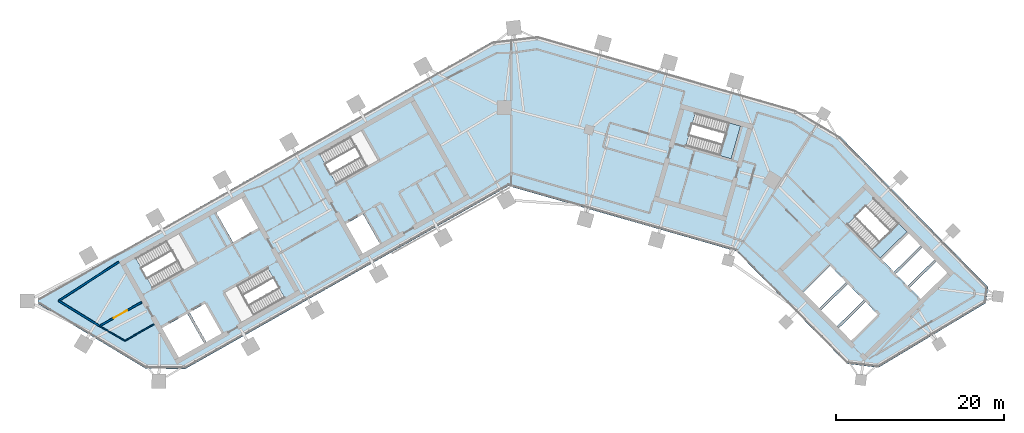
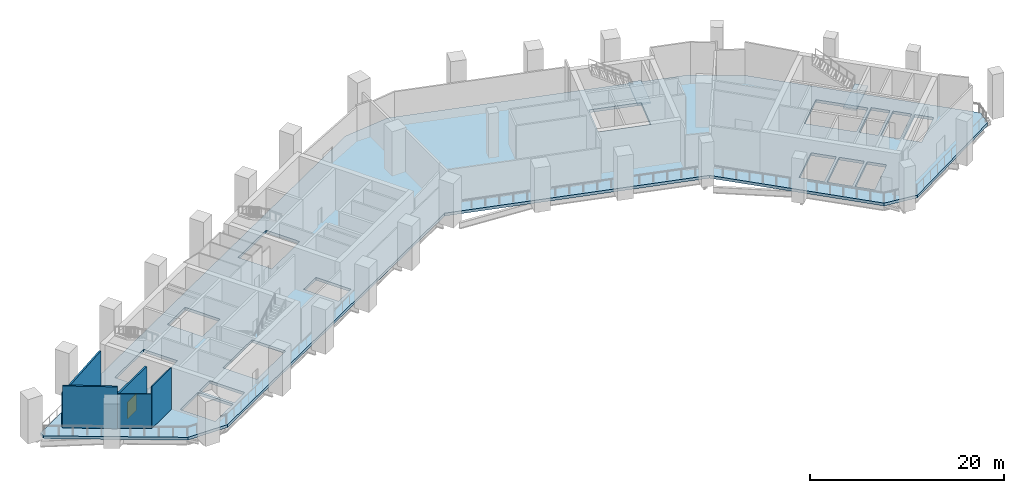
# One storey, part 3 of 11: 5 walls, 3 slabs, 1 door, 1 opening, 2 elements without a shape of their own.
"""IFC4 building model written with IfcOpenShell, lengths in metres."""

from ifc_helpers import new_model, si_unit, direction, frame, frame_2d, origin, place, context, subcontext, project, spatial, polyline, rectangle, outline, extrude, material, layer, layer_set, type_object, element, fill, aggregate, save


model = new_model("IFC4")

# Units and contexts
model_context = context("Model", 3, precision=1e-05, world=origin(), true_north=direction((0.0, 1.0)))
body_context = subcontext(model_context, "Body", "Model", "MODEL_VIEW")
ifc_project = project(units=[si_unit("LENGTHUNIT", "METRE"), si_unit("AREAUNIT", "SQUARE_METRE"), si_unit("VOLUMEUNIT", "CUBIC_METRE"), si_unit("PLANEANGLEUNIT", "RADIAN"), si_unit("MASSUNIT", "GRAM", prefix="KILO")], contexts=[model_context])

# Site, building, storey
site_placement = place(None, origin())
site = spatial("IfcSite", under=ifc_project, at=site_placement, CompositionType="ELEMENT")
building_placement = place(site_placement, origin())
building = spatial("IfcBuilding", under=site, at=building_placement, Name="Binnacle Exchange Tower", CompositionType="ELEMENT")
storey_placement = place(building_placement, frame((0.0, 0.0, 91.5)))
storey = spatial("IfcBuildingStorey", under=building, at=storey_placement, Name="L18", CompositionType="ELEMENT", Elevation=91.5)

# Slab
ifc_material_1 = material(Name="Concrete C35/45", Category="concrete")
ifc_layer_1 = layer(ifc_material_1, 0.35009765625)
ifc_layer_set_1 = layer_set([ifc_layer_1], Name="Floor slab 350 Concrete C35/45")
slab_type_1 = type_object("IfcSlabType", Name="Floor slab 350 Concrete C35/45", PredefinedType="FLOOR", material=ifc_layer_set_1)
slab_1_placement = place(storey_placement, frame((0.0, 0.0, -0.35009765625)))
element("IfcSlab", 1, at=slab_1_placement, inside=storey, type_object=slab_type_1, Name="S:SL:L18:01", PredefinedType="FLOOR", context=body_context, shape_type="SweptSolid", body=[
    extrude(outline(polyline([(56.6298828125, 38.691650390625), (56.388916015625, 36.798583984375), (43.599609375, 29.114013671875), (39.8662109375, 29.5888671875), (26.7578125, 42.927978515625), (-0.318603515625, 50.692138671875), (-38.74072265625, 28.953857421875), (-43.435791015625, 29.015380859375), (-56.197509765625, 36.683349609375), (-56.188720703125, 37.33740234375), (-2.2529296875, 67.85302734375), (3.15869140625, 68.493408203125), (33.78955078125, 59.710205078125), (39.051025390625, 56.580078125), (56.6298828125, 38.691650390625)]), holes=[polyline([(-38.4794921875, 35.529296875), (-41.61279296875, 33.756591796875), (-39.544677734375, 30.10107421875), (-36.411376953125, 31.873779296875), (-38.4794921875, 35.529296875)]), polyline([(-34.322509765625, 33.0556640625), (-36.390625, 36.711181640625), (-38.21826171875, 35.677001953125), (-36.150146484375, 32.021484375), (-34.322509765625, 33.0556640625)]), polyline([(-34.040771484375, 38.04052734375), (-32.04638671875, 34.515625), (-26.9287109375, 37.4111328125), (-28.923095703125, 40.93603515625), (-34.040771484375, 38.04052734375)]), polyline([(-37.486572265625, 41.4912109375), (-39.480712890625, 45.01611328125), (-44.598388671875, 42.12060546875), (-42.604248046875, 38.595703125), (-37.486572265625, 41.4912109375)]), polyline([(-15.53076171875, 43.6875), (-17.598876953125, 47.343017578125), (-19.77490234375, 46.11181640625), (-17.70654296875, 42.456298828125), (-15.53076171875, 43.6875)]), polyline([(-29.914306640625, 45.775390625), (-31.982666015625, 49.430908203125), (-35.115966796875, 47.657958984375), (-33.047607421875, 44.00244140625), (-29.914306640625, 45.775390625)]), polyline([(-15.822509765625, 53.748046875), (-17.81689453125, 57.27294921875), (-22.760498046875, 54.47607421875), (-20.76611328125, 50.950927734375), (-15.822509765625, 53.748046875)]), polyline([(26.111328125, 53.9169921875), (27.227783203125, 57.810302734375), (21.864013671875, 59.348388671875), (20.74755859375, 55.455078125), (26.111328125, 53.9169921875)]), polyline([(40.268798828125, 32.201904296875), (43.549560546875, 35.426025390625), (42.07763671875, 36.923828125), (38.796875, 33.69970703125), (40.268798828125, 32.201904296875)]), polyline([(38.58642578125, 33.913818359375), (41.867431640625, 37.137939453125), (39.97509765625, 39.063720703125), (36.694091796875, 35.83935546875), (38.58642578125, 33.913818359375)]), polyline([(36.48388671875, 36.053466796875), (39.7646484375, 39.277587890625), (37.872314453125, 41.203369140625), (34.59130859375, 37.979248046875), (36.48388671875, 36.053466796875)]), polyline([(48.726806640625, 37.148681640625), (52.0078125, 40.372802734375), (50.577880859375, 41.827880859375), (47.296875, 38.603759765625), (48.726806640625, 37.148681640625)]), polyline([(47.086669921875, 38.817626953125), (50.36767578125, 42.0419921875), (48.944580078125, 43.48974609375), (45.663818359375, 40.265625), (47.086669921875, 38.817626953125)]), polyline([(45.45361328125, 40.4794921875), (48.734375, 43.703857421875), (47.3115234375, 45.151611328125), (44.030517578125, 41.927490234375), (45.45361328125, 40.4794921875)]), polyline([(43.8203125, 42.141357421875), (46.994384765625, 45.260498046875), (43.083251953125, 49.240478515625), (39.9091796875, 46.121337890625), (43.8203125, 42.141357421875)])]), origin(), (0.0, 0.0, 1.0), 0.35009765625),
])

# Stair, slab
stair_type = type_object("IfcStairType", Name="STAIR 32 RISERS 175", PredefinedType="HALF_TURN_STAIR", material=ifc_material_1)
stair_1_placement = place(storey_placement, origin())
stair_1 = element("IfcStair", 2, at=stair_1_placement, inside=storey, type_object=stair_type, Name="L18 Escape stair B1", PredefinedType="HALF_TURN_STAIR")
ifc_layer_2 = layer(ifc_material_1, 0.199951171875)
ifc_layer_set_2 = layer_set([ifc_layer_2], Name="STAIR LANDING 200")
slab_type_2 = type_object("IfcSlabType", Name="STAIR LANDING 200", PredefinedType="LANDING", material=ifc_layer_set_2)
slab_2_placement = place(storey_placement, frame((0.0, 0.0, 2.60009765625)))
slab_2 = element("IfcSlab", 3, at=slab_2_placement, type_object=slab_type_2, Name="STB1 landing 1", PredefinedType="LANDING", context=body_context, shape_type="SweptSolid", body=[
    extrude(outline(polyline([(42.8251953125, 43.154296875), (43.8203125, 42.141357421875), (46.994384765625, 45.260498046875), (45.9990234375, 46.273193359375), (42.8251953125, 43.154296875)])), origin(), (0.0, 0.0, 1.0), 0.199951171875),
])
aggregate(stair_1, [slab_2])

stair_2_placement = place(storey_placement, origin())
stair_2 = element("IfcStair", 4, at=stair_2_placement, inside=storey, type_object=stair_type, Name="L18 Escape stair D1", PredefinedType="HALF_TURN_STAIR")
slab_3_placement = place(storey_placement, frame((0.0, 0.0, 2.60009765625)))
slab_3 = element("IfcSlab", 5, at=slab_3_placement, type_object=slab_type_2, Name="STD1 landing 1", PredefinedType="LANDING", context=body_context, shape_type="SweptSolid", body=[
    extrude(outline(polyline([(24.746337890625, 54.30859375), (26.111328125, 53.917236328125), (27.227783203125, 57.810302734375), (25.86279296875, 58.20166015625), (24.746337890625, 54.30859375)])), origin(), (0.0, 0.0, 1.0), 0.199951171875),
])
aggregate(stair_2, [slab_3])

# Walls
ifc_material_2 = material(Name="Masonry block wall", Category="masonry")
ifc_layer_3 = layer(ifc_material_2, 0.199951171875)
ifc_layer_set_3 = layer_set([ifc_layer_3], Name="Fire wall - block 200")
wall_type_1 = type_object("IfcWallType", Name="Fire wall - block 200", PredefinedType="PARTITIONING", material=ifc_layer_set_3)
wall_1_placement = place(storey_placement, frame((-53.760009765625, 37.052001953125, 0.0), z_axis=(0.0, 0.0, 1.0), x_axis=(0.850846379399, -0.525414539828, 0.0)))
element("IfcWall", 6, at=wall_1_placement, inside=storey, type_object=wall_type_1, Name="Partition W01", PredefinedType="PARTITIONING", context=body_context, shape_type="SweptSolid", body=[
    extrude(rectangle(XDim=5.7060546875, YDim=0.199951171875, at=frame_2d((2.85302734375, 0.0))), origin(), (0.0, 0.0, 1.0), 5.280029296875),
])
wall_2_placement = place(storey_placement, frame((-53.760009765625, 37.052001953125, 0.0), z_axis=(0.0, 0.0, 1.0), x_axis=(0.83989696129, 0.542745883831, 0.0)))
element("IfcWall", 7, at=wall_2_placement, inside=storey, type_object=wall_type_1, Name="Partition W02", PredefinedType="PARTITIONING", context=body_context, shape_type="SweptSolid", body=[
    extrude(rectangle(XDim=8.514404296875, YDim=0.199951171875, at=frame_2d((4.25732421875, 0.0))), origin(), (0.0, 0.0, 1.0), 4.360107421875),
])

# Wall, opening, door
wall_3_placement = place(storey_placement, frame((-48.905029296875, 34.053955078125, 0.0), z_axis=(0.0, 0.0, 1.0), x_axis=(0.870335821512, 0.492458686383, 0.0)))
wall_3 = element("IfcWall", 8, at=wall_3_placement, inside=storey, type_object=wall_type_1, Name="Partition W04", PredefinedType="PARTITIONING", context=body_context, shape_type="SweptSolid", body=[
    extrude(rectangle(XDim=5.750732421875, YDim=0.199951171875, at=frame_2d((2.87548828125, 0.0))), origin(), (0.0, 0.0, 1.0), 4.360107421875),
])
opening_placement = place(wall_3_placement, frame((1.949951171875, 0.0, 0.0)))
opening = element("IfcOpeningElement", 9, at=opening_placement, cuts=wall_3, Name="Opening DL18-01", PredefinedType="OPENING", context=body_context, shape_type="SweptSolid", body=[
    extrude(rectangle(XDim=1.800048828125, YDim=2.10009765625, at=frame_2d((0.89990234375, 1.050048828125))), frame((0.0, 0.10986328125, 0.0), z_axis=(0.0, -1.0, 0.0), x_axis=(1.0, 0.0, 0.0)), (0.0, 0.0, 1.0), 0.219970703125),
])
ifc_material_3 = material(Name="Steel door leaf", Category="steel")
door_type = type_object("IfcDoorType", Name="Fire door 1800", OperationType="NOTDEFINED", PredefinedType="DOOR", material=ifc_material_3)
door_placement = place(opening_placement, origin())
door = element("IfcDoor", 10, at=door_placement, inside=storey, type_object=door_type, Name="Door DL18-01", OperationType="DOUBLE_DOOR_SINGLE_SWING", OverallHeight=2.10009765625, OverallWidth=1.800048828125, PredefinedType="DOOR", context=body_context, shape_type="SweptSolid", body=[
    extrude(rectangle(XDim=1.800048828125, YDim=2.10009765625, at=frame_2d((0.89990234375, 1.050048828125))), frame((0.0, 0.02490234375, 0.0), z_axis=(0.0, -1.0, 0.0), x_axis=(1.0, 0.0, 0.0)), (0.0, 0.0, 1.0), 0.050048828125),
])
fill(opening, door)

# Walls
ifc_material_4 = material(Name="Gypsum partition")
ifc_layer_4 = layer(ifc_material_4, 0.125)
ifc_layer_set_4 = layer_set([ifc_layer_4], Name="Partition 125")
wall_type_2 = type_object("IfcWallType", Name="Partition 125", PredefinedType="PARTITIONING", material=ifc_layer_set_4)
wall_4_placement = place(storey_placement, frame((-48.905029296875, 34.053955078125, 0.0), z_axis=(0.0, 0.0, 1.0), x_axis=(0.863972582591, -0.50353885305, 0.0)))
element("IfcWall", 11, at=wall_4_placement, inside=storey, type_object=wall_type_2, Name="Partition W03", PredefinedType="PARTITIONING", context=body_context, shape_type="SweptSolid", body=[
    extrude(rectangle(XDim=3.473388671875, YDim=0.125, at=frame_2d((1.73681640625, 0.0))), origin(), (0.0, 0.0, 1.0), 4.360107421875),
])
wall_5_placement = place(storey_placement, frame((-45.904052734375, 32.304931640625, 0.0), z_axis=(0.0, 0.0, 1.0), x_axis=(0.870297830159, 0.492525823506, 0.0)))
element("IfcWall", 12, at=wall_5_placement, inside=storey, type_object=wall_type_2, Name="Partition W05", PredefinedType="PARTITIONING", context=body_context, shape_type="SweptSolid", body=[
    extrude(rectangle(XDim=3.999755859375, YDim=0.125, at=frame_2d((2.0, 0.0))), origin(), (0.0, 0.0, 1.0), 5.280029296875),
])

save(model, "model.ifc")
